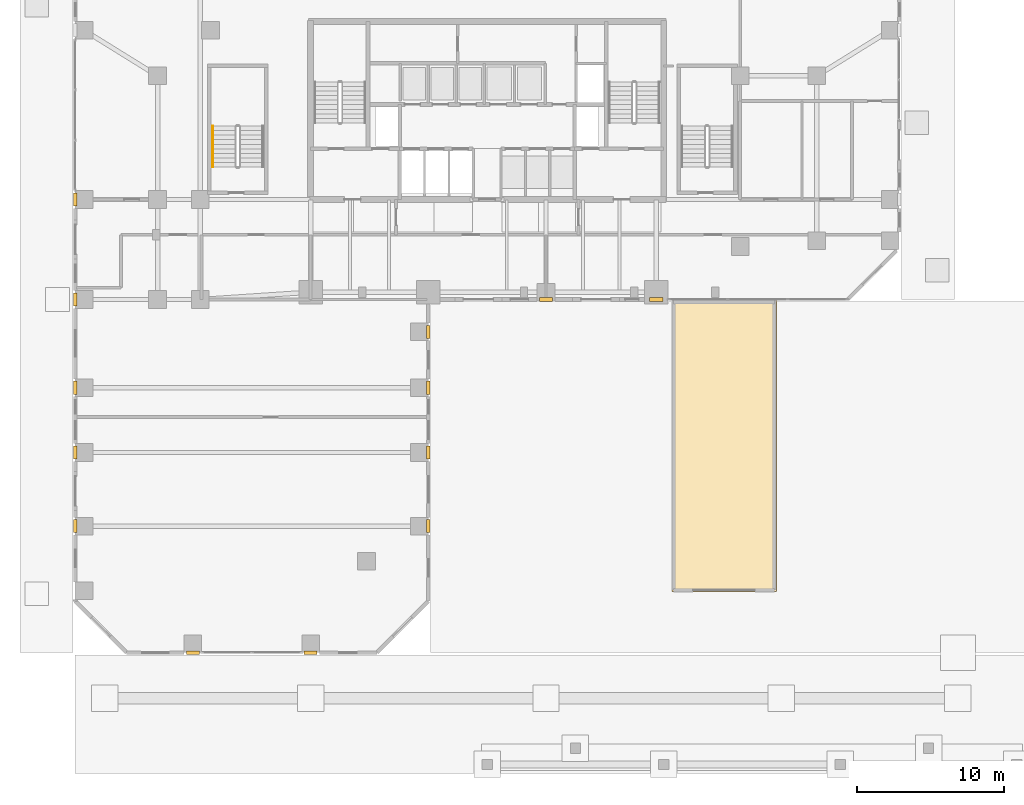
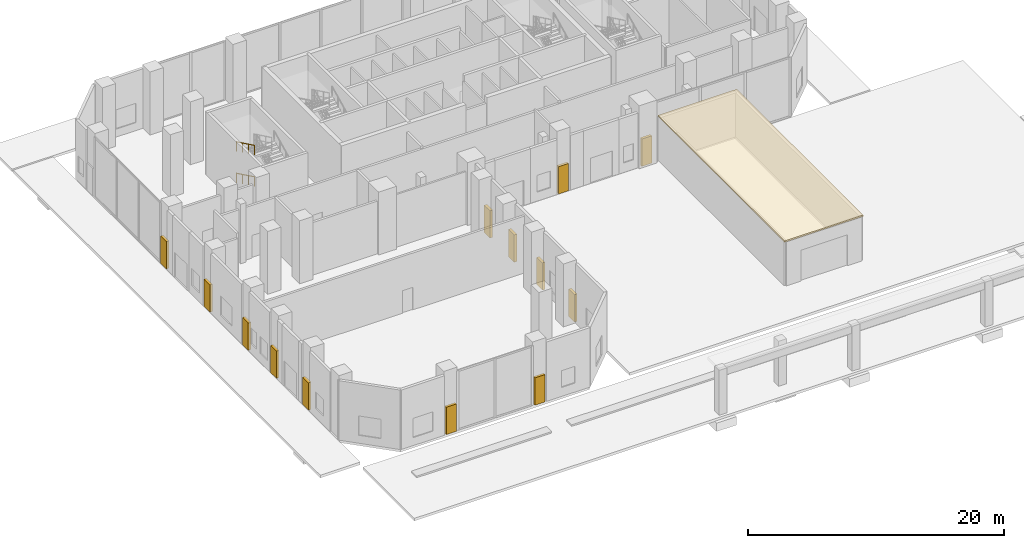
# One storey, part 22 of 26: 14 coverings, 2 railings.
"""IFC4 building model written with IfcOpenShell, lengths in metres."""

from ifc_helpers import new_model, si_unit, direction, frame, origin, origin_2d, place, context, subcontext, project, spatial, polyline, rectangle, circle, outline, extrude, material, layer, layer_set, type_object, element, save


model = new_model("IFC4")

# Units and contexts
model_context = context("Model", 3, precision=1e-05, world=origin(), true_north=direction((0.0, 1.0)))
body_context = subcontext(model_context, "Body", "Model", "MODEL_VIEW")
ifc_project = project(units=[si_unit("LENGTHUNIT", "METRE"), si_unit("AREAUNIT", "SQUARE_METRE"), si_unit("VOLUMEUNIT", "CUBIC_METRE"), si_unit("PLANEANGLEUNIT", "RADIAN"), si_unit("MASSUNIT", "GRAM", prefix="KILO")], contexts=[model_context])

# Site, building, storey
site_placement = place(None, origin())
site = spatial("IfcSite", under=ifc_project, at=site_placement, CompositionType="ELEMENT")
building_placement = place(site_placement, origin())
building = spatial("IfcBuilding", under=site, at=building_placement, Name="Catumbela Crestline Tower", CompositionType="ELEMENT")
storey_placement = place(building_placement, origin())
storey = spatial("IfcBuildingStorey", under=building, at=storey_placement, Name="L00", CompositionType="ELEMENT", Elevation=0.0)

# Coverings
ifc_material_1 = material(Name="Extruded terracotta ceramic", Category="masonry")
ifc_layer_1 = layer(ifc_material_1, 0.08, Name="Extruded terracotta ceramic")
ifc_layer_set_1 = layer_set([ifc_layer_1], Name="Extruded terracotta ceramic")
covering_type_1 = type_object("IfcCoveringType", Name="CC-TER", PredefinedType="CLADDING", material=ifc_layer_set_1)
for number, where, z_axis, x_axis, name in (
    (1, (8.0, 0.0, 0.0), (0.0, 0.0, 1.0), (1.0, 0.0, 0.0), "L00 Fluted Terracotta Column Cladding 1"),
    (2, (16.0, 0.0, 0.0), (0.0, 0.0, 1.0), (1.0, 0.0, 0.0), "L00 Fluted Terracotta Column Cladding 2"),
    (3, (24.0, 8.6, 0.0), (0.0, 0.0, 1.0), (0.0, 1.0, 0.0), "L00 Fluted Terracotta Column Cladding 3"),
    (4, (24.0, 13.6, 0.0), (0.0, 0.0, 1.0), (0.0, 1.0, 0.0), "L00 Fluted Terracotta Column Cladding 4"),
    (5, (24.0, 18.0, 0.0), (0.0, 0.0, 1.0), (0.0, 1.0, 0.0), "L00 Fluted Terracotta Column Cladding 5"),
    (6, (24.0, 21.8, 0.0), (0.0, 0.0, 1.0), (0.0, 1.0, 0.0), "L00 Fluted Terracotta Column Cladding 6"),
    (7, (32.0, 24.0, 0.0), (0.0, 0.0, 1.0), (1.0, 0.0, 0.0), "L00 Fluted Terracotta Column Cladding 7"),
    (8, (39.5, 24.0, 0.0), (0.0, 0.0, 1.0), (1.0, 0.0, 0.0), "L00 Fluted Terracotta Column Cladding 8"),
    (9, (0.0, 24.0, 0.0), (0.0, 0.0, 1.0), (0.0, -1.0, 0.0), "L00 Fluted Terracotta Column Cladding 16"),
    (10, (0.0, 30.8, 0.0), (0.0, 0.0, 1.0), (0.0, -1.0, 0.0), "L00 Fluted Terracotta Column Cladding 17"),
    (11, (0.0, 8.6, 0.0), (0.0, 0.0, 1.0), (0.0, -1.0, 0.0), "L00 Fluted Terracotta Column Cladding 19"),
    (12, (0.0, 13.6, 0.0), (0.0, 0.0, 1.0), (0.0, -1.0, 0.0), "L00 Fluted Terracotta Column Cladding 20"),
    (13, (0.0, 18.0, 0.0), (0.0, 0.0, 1.0), (0.0, -1.0, 0.0), "L00 Fluted Terracotta Column Cladding 21"),
):
    element("IfcCovering", number, at=place(storey_placement, frame(where, z_axis=z_axis, x_axis=x_axis)), inside=storey, type_object=covering_type_1, Name=name, PredefinedType="CLADDING", context=body_context, shape_type="SweptSolid", body=[
        extrude(rectangle(XDim=0.9, YDim=0.24, at=origin_2d()), origin(), (0.0, 0.0, 1.0), 2.6),
    ])
ifc_material_2 = material(Name="Polymer-modified bitumen and XPS roof membrane")
ifc_layer_2 = layer(ifc_material_2, 0.05, Name="Polymer-modified bitumen and XPS roof membrane")
ifc_layer_set_2 = layer_set([ifc_layer_2], Name="Polymer-modified bitumen and XPS roof membrane")
covering_type_2 = type_object("IfcCoveringType", Name="CR-MEM", PredefinedType="ROOFING", material=ifc_layer_set_2)
covering_placement = place(storey_placement, frame((0.0, 0.0, 4.2)))
element("IfcCovering", 14, at=covering_placement, inside=storey, type_object=covering_type_2, Name="L00 Vehicle Ramp Portal Weather Canopy", PredefinedType="ROOFING", context=body_context, shape_type="SweptSolid", body=[
    extrude(outline(polyline([(40.55, 4.15), (47.65, 4.15), (47.65, 23.95), (40.55, 23.95), (40.55, 4.15)])), origin(), (0.0, 0.0, 1.0), 0.12),
])

# Railings
ifc_material_3 = material(Name="Stainless steel EN 1.4401", Category="steel")
railing_type = type_object("IfcRailingType", Name="RH-0900", PredefinedType="HANDRAIL", material=ifc_material_3)
for number, where, name in (
    (15, (9.35, 35.79, 1.65), "L00 ST-03 stair handrail 2"),
    (16, (9.35, 35.79, 4.65), "L00 ST-03 stair handrail 4"),
):
    element("IfcRailing", number, at=place(storey_placement, frame(where)), inside=storey, type_object=railing_type, Name=name, PredefinedType="HANDRAIL", context=body_context, shape_type="SweptSolid", body=[
        extrude(circle(Radius=0.024, at=origin_2d()), frame((0.0, 0.0, 0.876), z_axis=(0.0, -0.900159251416, 0.435560928104), x_axis=(1.0, 0.0, 0.0)), (0.0, 0.0, 1.0), 3.0995),
        extrude(circle(Radius=0.021, at=origin_2d()), origin(), (0.0, 0.0, 1.0), 0.852),
        extrude(circle(Radius=0.021, at=origin_2d()), frame((0.0, -0.93, 0.45)), (0.0, 0.0, 1.0), 0.852),
        extrude(circle(Radius=0.021, at=origin_2d()), frame((0.0, -1.86, 0.9)), (0.0, 0.0, 1.0), 0.852),
        extrude(circle(Radius=0.021, at=origin_2d()), frame((0.0, -2.79, 1.35)), (0.0, 0.0, 1.0), 0.852),
    ])

save(model, "model.ifc")
